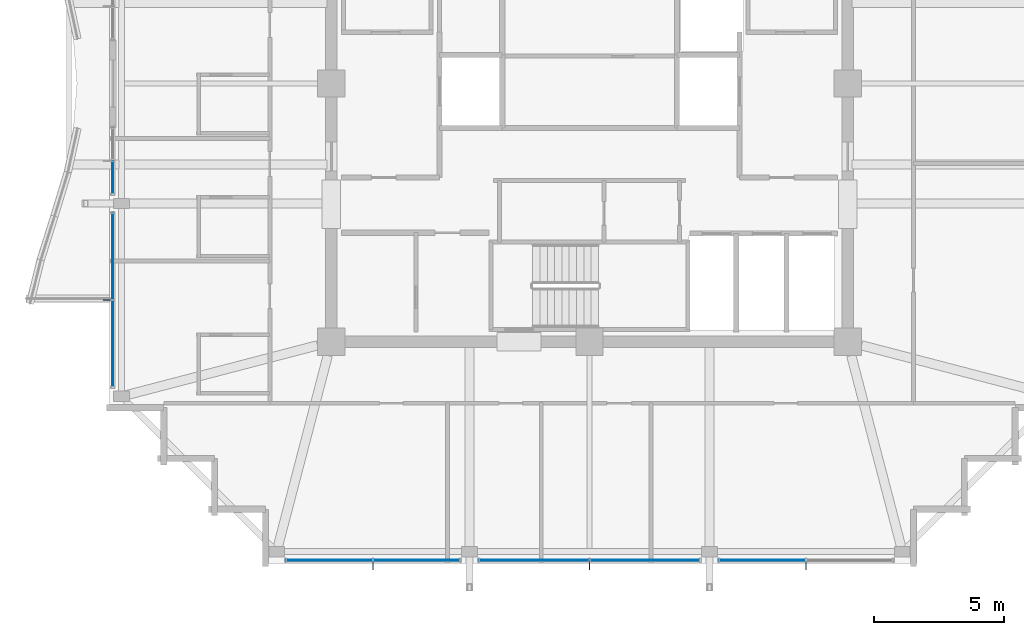
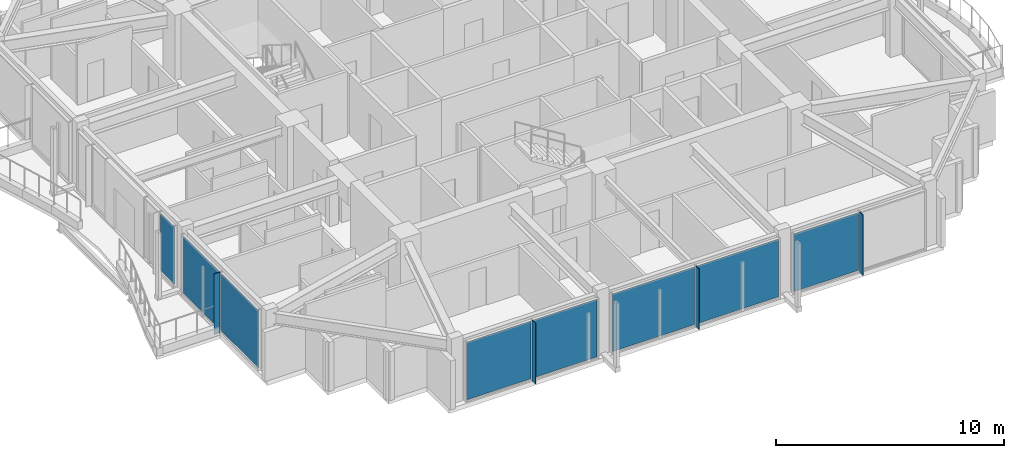
# One storey, part 20 of 31: 12 plates, 5 elements without a shape of their own.
"""IFC4 building model written with IfcOpenShell, lengths in metres."""

import ifcopenshell
import ifcopenshell.guid

model = None  # the IFC model being written
_history = None  # IfcOwnerHistory: only IFC2X3 demands one
_inside = {}  # id of a spatial element -> (the spatial element, [elements in it])
_under = {}  # id of a project, library or spatial element -> (it, [spatial elements below it])
_declared = {}  # id of a project -> (the project, [libraries it declares])
_typed = {}  # id of a type object -> (the type object, [elements of that type])
_made_of = {}  # id of a material, layer set ... -> (it, [elements and type objects made of it])


def new_model(schema):
    """Start an empty IFC model of exactly this schema.

    Asked for "IFC4X3", IfcOpenShell would pick the latest addendum, in which some entities
    have other attributes; the version numbers below select the first issue.
    IFC2X3 requires an IfcOwnerHistory on every rooted entity: one is made here for all.
    """
    global model, _history
    if schema == "IFC4X3":
        model = ifcopenshell.file(schema_version=(4, 3, 0, 0))
    else:
        model = ifcopenshell.file(schema=schema)
    _inside.clear()
    _under.clear()
    _declared.clear()
    _typed.clear()
    _made_of.clear()
    _history = None
    if model.schema == "IFC2X3":
        org = make("IfcOrganization", Name="unknown")
        user = make(
            "IfcPersonAndOrganization",
            ThePerson=make("IfcPerson", FamilyName="unknown"),
            TheOrganization=org,
        )
        app = make(
            "IfcApplication",
            ApplicationDeveloper=org,
            Version="unknown",
            ApplicationFullName="unknown",
            ApplicationIdentifier="unknown",
        )
        _history = make(
            "IfcOwnerHistory",
            OwningUser=user,
            OwningApplication=app,
            ChangeAction="ADDED",
            CreationDate=0,
        )
    return model


def make(cls, **values):
    """One entity of the class cls with the attributes given. An attribute that is None is left unset."""
    return model.create_entity(
        cls, **{name: value for name, value in values.items() if value is not None}
    )


def rooted(cls, **values):
    """An entity with a GlobalId (a new one), such as an element, a storey or a relation."""
    return make(cls, GlobalId=ifcopenshell.guid.new(), OwnerHistory=_history, **values)


def si_unit(unit_type, name, prefix=None):
    """IfcSIUnit, for example si_unit("LENGTHUNIT", "METRE", prefix="MILLI")."""
    return make("IfcSIUnit", UnitType=unit_type, Prefix=prefix, Name=name)


def assignment(units):
    """IfcUnitAssignment: the units of a project."""
    return None if units is None else make("IfcUnitAssignment", Units=units)


def point(xyz):
    """IfcCartesianPoint."""
    return None if xyz is None else make("IfcCartesianPoint", Coordinates=xyz)


def direction(xyz):
    """IfcDirection."""
    return None if xyz is None else make("IfcDirection", DirectionRatios=xyz)


def frame(location, z_axis=None, x_axis=None):
    """IfcAxis2Placement3D, a coordinate frame: its origin and axes. An axis left out is left unset."""
    return make(
        "IfcAxis2Placement3D",
        Location=point(location),
        Axis=direction(z_axis),
        RefDirection=direction(x_axis),
    )


def frame_2d(location, x_axis=None):
    """IfcAxis2Placement2D, a coordinate frame in the plane: its origin and x axis."""
    return make(
        "IfcAxis2Placement2D", Location=point(location), RefDirection=direction(x_axis)
    )


def origin():
    """The frame at (0, 0, 0) with its axes left unset."""
    return frame((0.0, 0.0, 0.0))


def origin_2d():
    """The frame at (0, 0) in the plane with its x axis left unset."""
    return frame_2d((0.0, 0.0))


def place(relative_to, where):
    """IfcLocalPlacement: puts the frame where relative to a parent placement (None: the world)."""
    return make(
        "IfcLocalPlacement", PlacementRelTo=relative_to, RelativePlacement=where
    )


def context(
    kind, dimensions, precision=None, world=None, true_north=None, identifier=None
):
    """IfcGeometricRepresentationContext, for example the 3D "Model" context."""
    return make(
        "IfcGeometricRepresentationContext",
        ContextIdentifier=identifier,
        ContextType=kind,
        CoordinateSpaceDimension=dimensions,
        Precision=precision,
        WorldCoordinateSystem=world,
        TrueNorth=true_north,
    )


def subcontext(parent, identifier, kind, view, scale=None):
    """IfcGeometricRepresentationSubContext, for example "Body" below "Model"."""
    return make(
        "IfcGeometricRepresentationSubContext",
        ContextIdentifier=identifier,
        ContextType=kind,
        ParentContext=parent,
        TargetScale=scale,
        TargetView=view,
    )


def project(units=None, contexts=None):
    """IfcProject with its units and contexts."""
    return rooted(
        "IfcProject",
        Name="project",
        RepresentationContexts=contexts,
        UnitsInContext=assignment(units),
    )


def spatial(cls, under=None, at=None, **own):
    """A site, building, storey or space (cls), placed at a placement, below another one or the project."""
    s = rooted(cls, ObjectPlacement=at, **own)
    if under is not None:
        _under.setdefault(under.id(), (under, []))[1].append(s)
    return s


def profile(cls, at=None, kind="AREA", **sizes):
    """A parametric profile (cls). Its sizes go by their IFC names, for example OverallWidth=200.0."""
    return make(cls, ProfileType=kind, Position=at, **sizes)


def rectangle(**sizes):
    """IfcRectangleProfileDef."""
    return profile("IfcRectangleProfileDef", **sizes)


def extrude(swept, where, along, depth):
    """IfcExtrudedAreaSolid: the profile swept, set in the frame where, extruded along a direction by depth."""
    return make(
        "IfcExtrudedAreaSolid",
        SweptArea=swept,
        Position=where,
        ExtrudedDirection=direction(along),
        Depth=depth,
    )


def shape(context_of_items, identifier, shape_type, items):
    """IfcShapeRepresentation: the items that make up one representation, for example the "Body"."""
    return make(
        "IfcShapeRepresentation",
        ContextOfItems=context_of_items,
        RepresentationIdentifier=identifier,
        RepresentationType=shape_type,
        Items=items,
    )


def material(Name=None, Category=None):
    """IfcMaterial."""
    return make("IfcMaterial", Name=Name, Category=Category)


def layer(
    of_material, thickness, ventilated=None, Name=None, Category=None, Priority=None
):
    """IfcMaterialLayer: one layer of a wall or slab, of a material (None: an air gap)."""
    return make(
        "IfcMaterialLayer",
        Material=of_material,
        LayerThickness=thickness,
        IsVentilated=ventilated,
        Name=Name,
        Category=Category,
        Priority=Priority,
    )


def layer_set(layers, Name=None):
    """IfcMaterialLayerSet."""
    return make("IfcMaterialLayerSet", MaterialLayers=layers, LayerSetName=Name)


def made_of(thing, what):
    """Note that an element or type object is made of a material, layer set ...; save() writes the relation."""
    if what is not None:
        _made_of.setdefault(what.id(), (what, []))[1].append(thing)
    return thing


def type_object(cls, material=None, **own):
    """A type object (cls), such as IfcWallType, which elements share."""
    return made_of(rooted(cls, **own), material)


def element(
    cls,
    number,
    at=None,
    inside=None,
    cuts=None,
    type_object=None,
    material=None,
    context=None,
    identifier="Body",
    shape_type=None,
    held_by="IfcProductDefinitionShape",
    body=None,
    shapes=None,
    **own,
):
    """One element of the class cls, such as IfcWall. Its Tag is "e" and its number.

    at: its placement. inside: the storey or other place that contains it. cuts: it is an
    opening in that element (IfcRelVoidsElement). A single representation is given by context,
    identifier, shape_type and body (its items); several are given by shapes. held_by: the class
    of the entity that holds the representations. save() writes the other relations.
    """
    e = rooted(cls, Tag="e%d" % number, ObjectPlacement=at, **own)
    if body is not None:
        shapes = [shape(context, identifier, shape_type, body)]
    if shapes is not None:
        e.Representation = make(held_by, Representations=shapes)
    if inside is not None:
        _inside.setdefault(inside.id(), (inside, []))[1].append(e)
    if cuts is not None:
        rooted(
            "IfcRelVoidsElement", RelatingBuildingElement=cuts, RelatedOpeningElement=e
        )
    if type_object is not None:
        _typed.setdefault(type_object.id(), (type_object, []))[1].append(e)
    return made_of(e, material)


def aggregate(whole, parts):
    """IfcRelAggregates: a whole, such as a stair, and the parts it consists of."""
    return rooted("IfcRelAggregates", RelatingObject=whole, RelatedObjects=parts)


def save(model, path):
    """Write the relations noted so far, then the file.

    IfcRelAggregates (storeys below a building ...), IfcRelContainedInSpatialStructure (elements
    in a storey), IfcRelDefinesByType, IfcRelAssociatesMaterial and IfcRelDeclares: one each for
    every whole, place, type object, material and project.
    """
    for whole, parts in _under.values():
        aggregate(whole, parts)
    for where, things in _inside.values():
        rooted(
            "IfcRelContainedInSpatialStructure",
            RelatedElements=things,
            RelatingStructure=where,
        )
    for kind, things in _typed.values():
        rooted("IfcRelDefinesByType", RelatedObjects=things, RelatingType=kind)
    for what, things in _made_of.values():
        rooted("IfcRelAssociatesMaterial", RelatedObjects=things, RelatingMaterial=what)
    for by, libraries in _declared.values():
        rooted("IfcRelDeclares", RelatingContext=by, RelatedDefinitions=libraries)
    model.write(path)


model = new_model("IFC4")

# Units and contexts
model_context = context("Model", 3, precision=1e-05, world=origin(), true_north=direction((0.0, 1.0)))
body_context = subcontext(model_context, "Body", "Model", "MODEL_VIEW")
ifc_project = project(units=[si_unit("LENGTHUNIT", "METRE"), si_unit("AREAUNIT", "SQUARE_METRE"), si_unit("VOLUMEUNIT", "CUBIC_METRE"), si_unit("PLANEANGLEUNIT", "RADIAN"), si_unit("MASSUNIT", "GRAM", prefix="KILO")], contexts=[model_context])

# Site, building, storey
site_placement = place(None, origin())
site = spatial("IfcSite", under=ifc_project, at=site_placement, CompositionType="ELEMENT")
building_placement = place(site_placement, origin())
building = spatial("IfcBuilding", under=site, at=building_placement, Name="Kolvaren Belvedere", CompositionType="ELEMENT")
storey_placement = place(building_placement, frame((0.0, 0.0, 251.39990234375)))
storey = spatial("IfcBuildingStorey", under=building, at=storey_placement, Name="L73", CompositionType="ELEMENT", Elevation=251.39990234375)

# Curtain wall, plate
ifc_material_1 = material(Name="Anodised pale-metal aluminium AA 6063-T6", Category="aluminium")
curtain_wall_type = type_object("IfcCurtainWallType", Name="CW-Z5-HIGH", PredefinedType="NOTDEFINED", material=ifc_material_1)
curtain_wall_1_placement = place(storey_placement, origin())
curtain_wall_1 = element("IfcCurtainWall", 1, at=curtain_wall_1_placement, inside=storey, type_object=curtain_wall_type, Name="L73 Unitised Curtain Wall FCW-L73-S-B1", PredefinedType="NOTDEFINED")
ifc_material_2 = material(Name="Low-iron triple insulated glass", Category="glass")
ifc_layer_1 = layer(ifc_material_2, 0.028076171875)
ifc_layer_set_1 = layer_set([ifc_layer_1], Name="Low-iron triple insulated glass")
plate_type_1 = type_object("IfcPlateType", Name="CW-PNL-VIS28", PredefinedType="CURTAIN_PANEL", material=ifc_layer_set_1)
plate_1_placement = place(storey_placement, frame((6.62744140625, -18.280029296875, 0.080078125), z_axis=(0.0, 0.0, 1.0), x_axis=(-1.0, 0.0, 0.0)))
plate_1 = element("IfcPlate", 2, at=plate_1_placement, type_object=plate_type_1, Name="FCW-L73-S-B1 Vision Glazing Panel 2", PredefinedType="CURTAIN_PANEL", context=body_context, shape_type="SweptSolid", body=[
    extrude(rectangle(XDim=3.264892578125, YDim=0.028076171875, at=origin_2d()), origin(), (0.0, 0.0, 1.0), 3.090087890625),
])
aggregate(curtain_wall_1, [plate_1])

# Curtain wall, plates
curtain_wall_2_placement = place(storey_placement, origin())
curtain_wall_2 = element("IfcCurtainWall", 3, at=curtain_wall_2_placement, inside=storey, type_object=curtain_wall_type, Name="L73 Unitised Curtain Wall FCW-L73-S-B2", PredefinedType="NOTDEFINED")
plate_2_placement = place(storey_placement, frame((2.12255859375, -18.280029296875, 0.080078125), z_axis=(0.0, 0.0, 1.0), x_axis=(-1.0, 0.0, 0.0)))
plate_2 = element("IfcPlate", 4, at=plate_2_placement, type_object=plate_type_1, Name="FCW-L73-S-B2 Vision Glazing Panel 1", PredefinedType="CURTAIN_PANEL", context=body_context, shape_type="SweptSolid", body=[
    extrude(rectangle(XDim=4.1650390625, YDim=0.028076171875, at=origin_2d()), origin(), (0.0, 0.0, 1.0), 3.090087890625),
])
plate_3_placement = place(storey_placement, frame((-2.12255859375, -18.280029296875, 0.080078125), z_axis=(0.0, 0.0, 1.0), x_axis=(-1.0, 0.0, 0.0)))
plate_3 = element("IfcPlate", 5, at=plate_3_placement, type_object=plate_type_1, Name="FCW-L73-S-B2 Vision Glazing Panel 2", PredefinedType="CURTAIN_PANEL", context=body_context, shape_type="SweptSolid", body=[
    extrude(rectangle(XDim=4.1650390625, YDim=0.028076171875, at=origin_2d()), origin(), (0.0, 0.0, 1.0), 3.090087890625),
])
aggregate(curtain_wall_2, [plate_2, plate_3])

curtain_wall_3_placement = place(storey_placement, origin())
curtain_wall_3 = element("IfcCurtainWall", 6, at=curtain_wall_3_placement, inside=storey, type_object=curtain_wall_type, Name="L73 Unitised Curtain Wall FCW-L73-S-B3", PredefinedType="NOTDEFINED")
plate_4_placement = place(storey_placement, frame((-6.62744140625, -18.280029296875, 0.080078125), z_axis=(0.0, 0.0, 1.0), x_axis=(-1.0, 0.0, 0.0)))
plate_4 = element("IfcPlate", 7, at=plate_4_placement, type_object=plate_type_1, Name="FCW-L73-S-B3 Vision Glazing Panel 1", PredefinedType="CURTAIN_PANEL", context=body_context, shape_type="SweptSolid", body=[
    extrude(rectangle(XDim=3.264892578125, YDim=0.028076171875, at=origin_2d()), origin(), (0.0, 0.0, 1.0), 3.090087890625),
])
plate_5_placement = place(storey_placement, frame((-9.972412109375, -18.280029296875, 0.080078125), z_axis=(0.0, 0.0, 1.0), x_axis=(-1.0, 0.0, 0.0)))
plate_5 = element("IfcPlate", 8, at=plate_5_placement, type_object=plate_type_1, Name="FCW-L73-S-B3 Vision Glazing Panel 2", PredefinedType="CURTAIN_PANEL", context=body_context, shape_type="SweptSolid", body=[
    extrude(rectangle(XDim=3.264892578125, YDim=0.028076171875, at=origin_2d()), origin(), (0.0, 0.0, 1.0), 3.090087890625),
])
aggregate(curtain_wall_3, [plate_4, plate_5])

curtain_wall_4_placement = place(storey_placement, origin())
curtain_wall_4 = element("IfcCurtainWall", 9, at=curtain_wall_4_placement, inside=storey, type_object=curtain_wall_type, Name="L73 Unitised Curtain Wall FCW-L73-W1-B1", PredefinedType="NOTDEFINED")
plate_6_placement = place(storey_placement, frame((-18.280029296875, -9.972412109375, 0.080078125), z_axis=(0.0, 0.0, 1.0), x_axis=(0.0, 1.0, 0.0)))
plate_6 = element("IfcPlate", 10, at=plate_6_placement, type_object=plate_type_1, Name="FCW-L73-W1-B1 Vision Glazing Panel 1", PredefinedType="CURTAIN_PANEL", context=body_context, shape_type="SweptSolid", body=[
    extrude(rectangle(XDim=3.264892578125, YDim=0.028076171875, at=origin_2d()), origin(), (0.0, 0.0, 1.0), 3.090087890625),
])
plate_7_placement = place(storey_placement, frame((-18.280029296875, -6.62744140625, 0.080078125), z_axis=(0.0, 0.0, 1.0), x_axis=(0.0, 1.0, 0.0)))
plate_7 = element("IfcPlate", 11, at=plate_7_placement, type_object=plate_type_1, Name="FCW-L73-W1-B1 Vision Glazing Panel 2", PredefinedType="CURTAIN_PANEL", context=body_context, shape_type="SweptSolid", body=[
    extrude(rectangle(XDim=3.264892578125, YDim=0.028076171875, at=origin_2d()), origin(), (0.0, 0.0, 1.0), 3.090087890625),
])
aggregate(curtain_wall_4, [plate_6, plate_7])

# Curtain wall, plate
curtain_wall_5_placement = place(storey_placement, origin())
curtain_wall_5 = element("IfcCurtainWall", 12, at=curtain_wall_5_placement, inside=storey, type_object=curtain_wall_type, Name="L73 Unitised Curtain Wall FCW-L73-W1-B2", PredefinedType="NOTDEFINED")
plate_8_placement = place(storey_placement, frame((-18.280029296875, -3.603759765625, 0.080078125), z_axis=(0.0, 0.0, 1.0), x_axis=(0.0, 1.0, 0.0)))
plate_8 = element("IfcPlate", 13, at=plate_8_placement, type_object=plate_type_1, Name="FCW-L73-W1-B2 Vision Glazing Panel 1", PredefinedType="CURTAIN_PANEL", context=body_context, shape_type="SweptSolid", body=[
    extrude(rectangle(XDim=1.202392578125, YDim=0.028076171875, at=origin_2d()), origin(), (0.0, 0.0, 1.0), 3.090087890625),
])
aggregate(curtain_wall_5, [plate_8])

# Plates
ifc_material_3 = material(Name="Anodised pale-metal aluminium AA 6063-T6", Category="aluminium")
ifc_layer_2 = layer(ifc_material_3, 0.030029296875)
ifc_layer_set_2 = layer_set([ifc_layer_2], Name="Anodised pale-metal aluminium AA 6063-T6")
plate_type_2 = type_object("IfcPlateType", Name="FIN-VERT-300", PredefinedType="USERDEFINED", material=ifc_layer_set_2)
for number, where, z_axis, x_axis, name in (
    (14, (8.300048828125, -18.489990234375, 0.0), (0.0, 0.0, 1.0), (0.0, 1.0, 0.0), "L73 Pale-Metal Vertical Shading Fin FCW-L73-S-B1-1"),
    (15, (0.0, -18.489990234375, 0.0), (0.0, 0.0, 1.0), (0.0, 1.0, 0.0), "L73 Pale-Metal Vertical Shading Fin FCW-L73-S-B2-1"),
    (16, (-8.300048828125, -18.489990234375, 0.0), (0.0, 0.0, 1.0), (0.0, 1.0, 0.0), "L73 Pale-Metal Vertical Shading Fin FCW-L73-S-B3-1"),
    (17, (-18.489990234375, -8.300048828125, 0.0), (0.0, 0.0, 1.0), (1.0, 0.0, 0.0), "L73 Pale-Metal Vertical Shading Fin FCW-L73-W1-B1-1"),
):
    element("IfcPlate", number, at=place(storey_placement, frame(where, z_axis=z_axis, x_axis=x_axis)), inside=storey, type_object=plate_type_2, Name=name, ObjectType="VERTICAL FIN", PredefinedType="USERDEFINED", context=body_context, shape_type="SweptSolid", body=[
        extrude(rectangle(XDim=0.300048828125, YDim=0.030029296875, at=origin_2d()), origin(), (0.0, 0.0, 1.0), 3.25),
    ])

save(model, "model.ifc")
